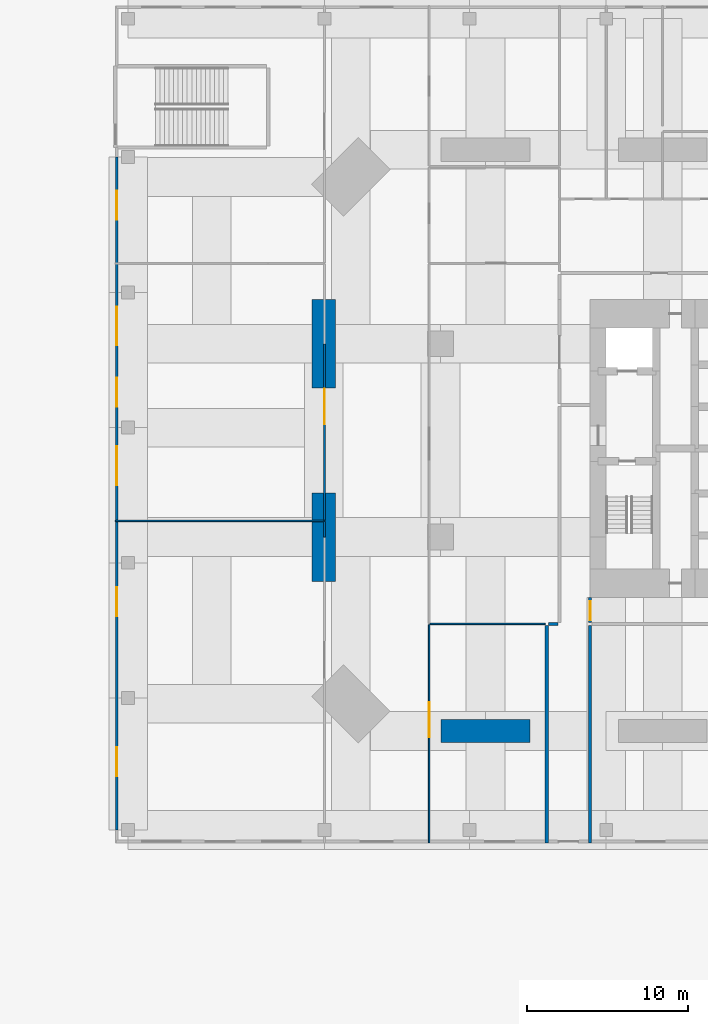
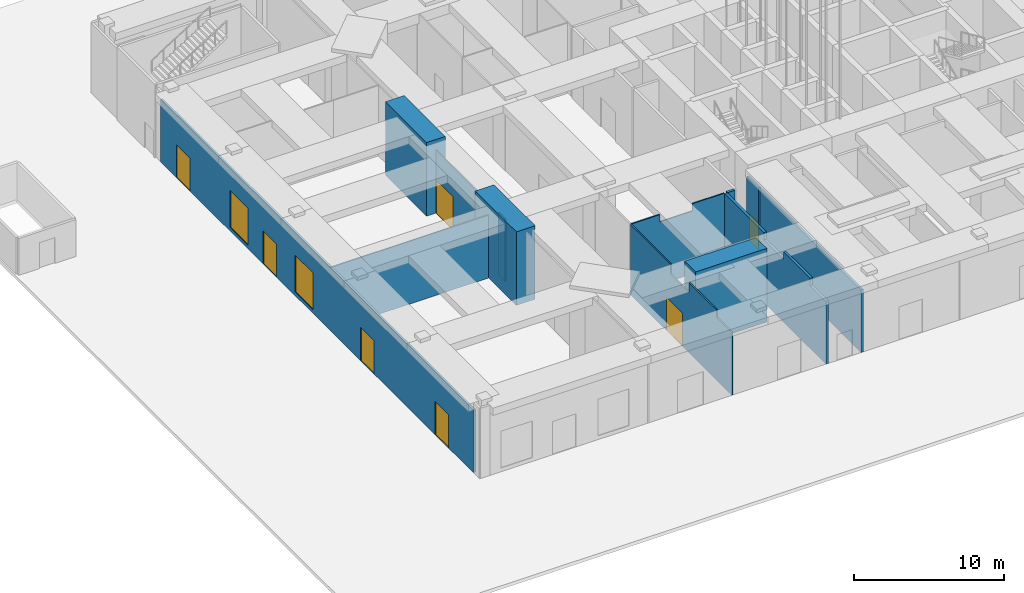
# One storey, part 3 of 17: 13 walls, 7 doors, 2 windows, 9 openings.
"""IFC4 building model written with IfcOpenShell, lengths in metres."""

from ifc_helpers import new_model, si_unit, direction, frame, frame_2d, origin, place, context, subcontext, project, spatial, polyline, rectangle, outline, extrude, material, layer, layer_set, constituent, constituent_set, type_object, element, fill, save


model = new_model("IFC4")

# Units and contexts
model_context = context("Model", 3, precision=1e-05, world=origin(), true_north=direction((0.0, 1.0)))
body_context = subcontext(model_context, "Body", "Model", "MODEL_VIEW")
ifc_project = project(units=[si_unit("LENGTHUNIT", "METRE"), si_unit("AREAUNIT", "SQUARE_METRE"), si_unit("VOLUMEUNIT", "CUBIC_METRE"), si_unit("PLANEANGLEUNIT", "RADIAN"), si_unit("MASSUNIT", "GRAM", prefix="KILO")], contexts=[model_context])

# Site, building, storey
site_placement = place(None, origin())
site = spatial("IfcSite", under=ifc_project, at=site_placement, CompositionType="ELEMENT")
building_placement = place(site_placement, origin())
building = spatial("IfcBuilding", under=site, at=building_placement, Name="Jalousie Tower", CompositionType="ELEMENT")
storey_placement = place(building_placement, origin())
storey = spatial("IfcBuildingStorey", under=building, at=storey_placement, Name="L00", CompositionType="ELEMENT", Elevation=0.0)

# Wall, openings, doors, windows
ifc_material_1 = material(Name="Concrete f'c 40 MPa", Category="concrete")
ifc_constituent_1 = constituent(ifc_material_1, Name="Body")
ifc_material_2 = material(Name="Render, pastel coral")
ifc_constituent_2 = constituent(ifc_material_2, Name="Finish")
ifc_constituent_set_1 = constituent_set(constituents=[ifc_constituent_1, ifc_constituent_2])
wall_type_1 = type_object("IfcWallType", Name="EXTERNAL WALL 175 CORAL RENDER", PredefinedType="SOLIDWALL", material=ifc_constituent_set_1)
wall_1_placement = place(storey_placement, frame((-9.91259765625, 36.60009765625, 0.0), z_axis=(0.0, 0.0, 1.0), x_axis=(0.0, -1.0, 0.0)))
wall_1 = element("IfcWall", 1, at=wall_1_placement, inside=storey, type_object=wall_type_1, Name="External Wall 175 Coral Render L00-B", PredefinedType="SOLIDWALL", context=body_context, shape_type="SweptSolid", body=[
    extrude(rectangle(XDim=41.800048828125, YDim=0.175048828125, at=frame_2d((20.89990234375, 0.0))), origin(), (0.0, 0.0, 1.0), 5.1201171875),
])
opening_1_placement = place(wall_1_placement, frame((2.10009765625, 0.0, 0.0)))
opening_1 = element("IfcOpeningElement", 2, at=opening_1_placement, cuts=wall_1, Name="Opening D-SHP", PredefinedType="OPENING", context=body_context, shape_type="SweptSolid", body=[
    extrude(rectangle(XDim=1.800048828125, YDim=2.699951171875, at=frame_2d((0.89990234375, 1.35009765625))), frame((0.0, 0.097412109375, 0.0), z_axis=(0.0, -1.0, 0.0), x_axis=(1.0, 0.0, 0.0)), (0.0, 0.0, 1.0), 0.195068359375),
])
opening_2_placement = place(wall_1_placement, frame((13.699951171875, 0.0, 0.0)))
opening_2 = element("IfcOpeningElement", 3, at=opening_2_placement, cuts=wall_1, Name="Opening D-SHP", PredefinedType="OPENING", context=body_context, shape_type="SweptSolid", body=[
    extrude(rectangle(XDim=1.800048828125, YDim=2.699951171875, at=frame_2d((0.89990234375, 1.35009765625))), frame((0.0, 0.097412109375, 0.0), z_axis=(0.0, -1.0, 0.0), x_axis=(1.0, 0.0, 0.0)), (0.0, 0.0, 1.0), 0.195068359375),
])
opening_3_placement = place(wall_1_placement, frame((9.293701171875, 0.0, 0.300048828125)))
opening_3 = element("IfcOpeningElement", 4, at=opening_3_placement, cuts=wall_1, Name="Opening W-SHOP", PredefinedType="OPENING", context=body_context, shape_type="SweptSolid", body=[
    extrude(rectangle(XDim=2.39990234375, YDim=3.0, at=frame_2d((1.199951171875, 1.5))), frame((0.0, 0.097412109375, 0.0), z_axis=(0.0, -1.0, 0.0), x_axis=(1.0, 0.0, 0.0)), (0.0, 0.0, 1.0), 0.195068359375),
])
opening_4_placement = place(wall_1_placement, frame((17.97509765625, 0.0, 0.300048828125)))
opening_4 = element("IfcOpeningElement", 5, at=opening_4_placement, cuts=wall_1, Name="Opening W-SHOP", PredefinedType="OPENING", context=body_context, shape_type="SweptSolid", body=[
    extrude(rectangle(XDim=2.39990234375, YDim=3.0, at=frame_2d((1.199951171875, 1.5))), frame((0.0, 0.097412109375, 0.0), z_axis=(0.0, -1.0, 0.0), x_axis=(1.0, 0.0, 0.0)), (0.0, 0.0, 1.0), 0.195068359375),
])
opening_5_placement = place(wall_1_placement, frame((26.715576171875, 0.0, 0.0)))
opening_5 = element("IfcOpeningElement", 6, at=opening_5_placement, cuts=wall_1, Name="Opening D-SHP", PredefinedType="OPENING", context=body_context, shape_type="SweptSolid", body=[
    extrude(rectangle(XDim=1.800048828125, YDim=2.699951171875, at=frame_2d((0.89990234375, 1.35009765625))), frame((0.0, 0.097412109375, 0.0), z_axis=(0.0, -1.0, 0.0), x_axis=(1.0, 0.0, 0.0)), (0.0, 0.0, 1.0), 0.195068359375),
])
opening_6_placement = place(wall_1_placement, frame((36.64697265625, 0.0, 0.0)))
opening_6 = element("IfcOpeningElement", 7, at=opening_6_placement, cuts=wall_1, Name="Opening D-SHP", PredefinedType="OPENING", context=body_context, shape_type="SweptSolid", body=[
    extrude(rectangle(XDim=1.800048828125, YDim=2.699951171875, at=frame_2d((0.89990234375, 1.35009765625))), frame((0.0, 0.097412109375, 0.0), z_axis=(0.0, -1.0, 0.0), x_axis=(1.0, 0.0, 0.0)), (0.0, 0.0, 1.0), 0.195068359375),
])
ifc_material_3 = material(Name="Aluminium frame, impact-rated glazing", Category="aluminium")
door_type_1 = type_object("IfcDoorType", Name="SHOP DOOR 1800x2700", OperationType="DOUBLE_DOOR_SINGLE_SWING", PredefinedType="DOOR", material=ifc_material_3)
door_1_placement = place(opening_1_placement, frame((1.800048828125, 0.0, 0.0), z_axis=(0.0, 0.0, 1.0), x_axis=(-1.0, 0.0, 0.0)))
door_1 = element("IfcDoor", 8, at=door_1_placement, inside=storey, type_object=door_type_1, Name="Retail unit 3 street door", OperationType="DOUBLE_DOOR_SINGLE_SWING", OverallHeight=2.699951171875, OverallWidth=1.800048828125, PredefinedType="DOOR", context=body_context, shape_type="SweptSolid", body=[
    extrude(rectangle(XDim=1.800048828125, YDim=2.699951171875, at=frame_2d((0.89990234375, 1.35009765625))), frame((0.0, 0.02490234375, 0.0), z_axis=(0.0, -1.0, 0.0), x_axis=(1.0, 0.0, 0.0)), (0.0, 0.0, 1.0), 0.050048828125),
])
fill(opening_1, door_1)
door_2_placement = place(opening_2_placement, frame((1.800048828125, 0.0, 0.0), z_axis=(0.0, 0.0, 1.0), x_axis=(-1.0, 0.0, 0.0)))
door_2 = element("IfcDoor", 9, at=door_2_placement, inside=storey, type_object=door_type_1, Name="Retail unit 2 street door", OperationType="DOUBLE_DOOR_SINGLE_SWING", OverallHeight=2.699951171875, OverallWidth=1.800048828125, PredefinedType="DOOR", context=body_context, shape_type="SweptSolid", body=[
    extrude(rectangle(XDim=1.800048828125, YDim=2.699951171875, at=frame_2d((0.89990234375, 1.35009765625))), frame((0.0, 0.02490234375, 0.0), z_axis=(0.0, -1.0, 0.0), x_axis=(1.0, 0.0, 0.0)), (0.0, 0.0, 1.0), 0.050048828125),
])
fill(opening_2, door_2)
door_3_placement = place(opening_5_placement, frame((1.800048828125, 0.0, 0.0), z_axis=(0.0, 0.0, 1.0), x_axis=(-1.0, 0.0, 0.0)))
door_3 = element("IfcDoor", 10, at=door_3_placement, inside=storey, type_object=door_type_1, Name="Retail unit 1 street door", OperationType="DOUBLE_DOOR_SINGLE_SWING", OverallHeight=2.699951171875, OverallWidth=1.800048828125, PredefinedType="DOOR", context=body_context, shape_type="SweptSolid", body=[
    extrude(rectangle(XDim=1.800048828125, YDim=2.699951171875, at=frame_2d((0.89990234375, 1.35009765625))), frame((0.0, 0.02490234375, 0.0), z_axis=(0.0, -1.0, 0.0), x_axis=(1.0, 0.0, 0.0)), (0.0, 0.0, 1.0), 0.050048828125),
])
fill(opening_5, door_3)
door_4_placement = place(opening_6_placement, frame((1.800048828125, 0.0, 0.0), z_axis=(0.0, 0.0, 1.0), x_axis=(-1.0, 0.0, 0.0)))
door_4 = element("IfcDoor", 11, at=door_4_placement, inside=storey, type_object=door_type_1, Name="Retail unit 1 street door", OperationType="DOUBLE_DOOR_SINGLE_SWING", OverallHeight=2.699951171875, OverallWidth=1.800048828125, PredefinedType="DOOR", context=body_context, shape_type="SweptSolid", body=[
    extrude(rectangle(XDim=1.800048828125, YDim=2.699951171875, at=frame_2d((0.89990234375, 1.35009765625))), frame((0.0, 0.02490234375, 0.0), z_axis=(0.0, -1.0, 0.0), x_axis=(1.0, 0.0, 0.0)), (0.0, 0.0, 1.0), 0.050048828125),
])
fill(opening_6, door_4)
ifc_material_4 = material(Name="Aluminium frame, impact-rated glazing", Category="aluminium")
window_type = type_object("IfcWindowType", Name="WINDOW SHOP 2400x3000", PartitioningType="DOUBLE_PANEL_VERTICAL", PredefinedType="WINDOW", material=ifc_material_4)
window_1_placement = place(opening_3_placement, origin())
window_1 = element("IfcWindow", 12, at=window_1_placement, inside=storey, type_object=window_type, Name="Retail unit 2 shopfront window", OverallHeight=3.0, OverallWidth=2.39990234375, PartitioningType="SINGLE_PANEL", PredefinedType="WINDOW", context=body_context, shape_type="SweptSolid", body=[
    extrude(rectangle(XDim=2.39990234375, YDim=3.0, at=frame_2d((1.199951171875, 1.5))), frame((0.0, 0.030029296875, 0.0), z_axis=(0.0, -1.0, 0.0), x_axis=(1.0, 0.0, 0.0)), (0.0, 0.0, 1.0), 0.06005859375),
])
fill(opening_3, window_1)
window_2_placement = place(opening_4_placement, origin())
window_2 = element("IfcWindow", 13, at=window_2_placement, inside=storey, type_object=window_type, Name="Retail unit 2 shopfront window", OverallHeight=3.0, OverallWidth=2.39990234375, PartitioningType="SINGLE_PANEL", PredefinedType="WINDOW", context=body_context, shape_type="SweptSolid", body=[
    extrude(rectangle(XDim=2.39990234375, YDim=3.0, at=frame_2d((1.199951171875, 1.5))), frame((0.0, 0.030029296875, 0.0), z_axis=(0.0, -1.0, 0.0), x_axis=(1.0, 0.0, 0.0)), (0.0, 0.0, 1.0), 0.06005859375),
])
fill(opening_4, window_2)

# Wall
ifc_material_5 = material(Name="Gypsum board", Category="gypsum")
ifc_constituent_3 = constituent(ifc_material_5, Name="Body")
ifc_material_6 = material(Name="Light-gauge steel studs ASTM A653 SS Grade 33", Category="steel")
ifc_constituent_4 = constituent(ifc_material_6, Name="Framing")
ifc_constituent_set_2 = constituent_set(constituents=[ifc_constituent_3, ifc_constituent_4])
wall_type_2 = type_object("IfcWallType", Name="PARTITION 100", PredefinedType="PARTITIONING", material=ifc_constituent_set_2)
wall_2_placement = place(storey_placement, frame((3.0, 13.0, 0.0), z_axis=(0.0, 0.0, 1.0), x_axis=(0.0, 1.0, 0.0)))
element("IfcWall", 14, at=wall_2_placement, inside=storey, type_object=wall_type_2, Name="Partition 100 L00-B", PredefinedType="PARTITIONING", context=body_context, shape_type="SweptSolid", body=[
    extrude(rectangle(XDim=0.949951171875, YDim=0.10009765625, at=frame_2d((0.47509765625, 0.0))), origin(), (0.0, 0.0, 1.0), 5.1201171875),
])

# Wall, opening, door
wall_3_placement = place(storey_placement, frame((3.0, 14.050048828125, 0.0), z_axis=(0.0, 0.0, 1.0), x_axis=(0.0, 1.0, 0.0)))
wall_3 = element("IfcWall", 15, at=wall_3_placement, inside=storey, type_object=wall_type_2, Name="Partition 100 L00-A", PredefinedType="PARTITIONING", context=body_context, shape_type="SweptSolid", body=[
    extrude(rectangle(XDim=10.949951171875, YDim=0.10009765625, at=frame_2d((5.47509765625, 0.0))), origin(), (0.0, 0.0, 1.0), 5.1201171875),
])
opening_7_placement = place(wall_3_placement, frame((5.949951171875, 0.0, 0.0)))
opening_7 = element("IfcOpeningElement", 16, at=opening_7_placement, cuts=wall_3, Name="Opening D14", PredefinedType="OPENING", context=body_context, shape_type="SweptSolid", body=[
    extrude(rectangle(XDim=2.199951171875, YDim=2.699951171875, at=frame_2d((1.10009765625, 1.35009765625))), frame((0.0, 0.06005859375, 0.0), z_axis=(0.0, -1.0, 0.0), x_axis=(1.0, 0.0, 0.0)), (0.0, 0.0, 1.0), 0.1201171875),
])
ifc_material_7 = material(Name="Glazed aluminium door", Category="aluminium")
door_type_2 = type_object("IfcDoorType", Name="SHOPFRONT DOOR 2200", OperationType="DOUBLE_DOOR_SINGLE_SWING", PredefinedType="DOOR", material=ifc_material_7)
door_5_placement = place(opening_7_placement, origin())
door_5 = element("IfcDoor", 17, at=door_5_placement, inside=storey, type_object=door_type_2, Name="Retail unit 2 door", OperationType="DOUBLE_DOOR_SINGLE_SWING", OverallHeight=2.699951171875, OverallWidth=2.199951171875, PredefinedType="DOOR", context=body_context, shape_type="SweptSolid", body=[
    extrude(rectangle(XDim=2.199951171875, YDim=2.699951171875, at=frame_2d((1.10009765625, 1.35009765625))), frame((0.0, 0.02490234375, 0.0), z_axis=(0.0, -1.0, 0.0), x_axis=(1.0, 0.0, 0.0)), (0.0, 0.0, 1.0), 0.050048828125),
])
fill(opening_7, door_5)

wall_4_placement = place(storey_placement, frame((9.5, -6.0, 0.0), z_axis=(0.0, 0.0, 1.0), x_axis=(0.0, 1.0, 0.0)))
wall_4 = element("IfcWall", 18, at=wall_4_placement, inside=storey, type_object=wall_type_2, Name="Partition 100 L00", PredefinedType="PARTITIONING", context=body_context, shape_type="SweptSolid", body=[
    extrude(outline(polyline([(0.0, 0.0), (13.550048828125, 0.0), (13.550048828125, 5.719970703125), (8.2099609375, 5.719970703125), (8.2099609375, 4.919921875), (5.68994140625, 4.919921875), (5.68994140625, 5.719970703125), (2.06005859375, 5.719970703125), (2.06005859375, 5.1201171875), (0.0, 5.1201171875), (0.0, 5.719970703125), (0.0, 0.0)])), frame((0.0, 0.050048828125, 0.0), z_axis=(0.0, -1.0, 0.0), x_axis=(1.0, 0.0, 0.0)), (0.0, 0.0, 1.0), 0.10009765625),
])
opening_8_placement = place(wall_4_placement, frame((6.550048828125, 0.0, 0.0)))
opening_8 = element("IfcOpeningElement", 19, at=opening_8_placement, cuts=wall_4, Name="Opening D14", PredefinedType="OPENING", context=body_context, shape_type="SweptSolid", body=[
    extrude(rectangle(XDim=2.199951171875, YDim=2.699951171875, at=frame_2d((1.10009765625, 1.35009765625))), frame((0.0, 0.06005859375, 0.0), z_axis=(0.0, -1.0, 0.0), x_axis=(1.0, 0.0, 0.0)), (0.0, 0.0, 1.0), 0.1201171875),
])
door_6_placement = place(opening_8_placement, frame((2.199951171875, 0.0, 0.0), z_axis=(0.0, 0.0, 1.0), x_axis=(-1.0, 0.0, 0.0)))
door_6 = element("IfcDoor", 20, at=door_6_placement, inside=storey, type_object=door_type_2, Name="Retail unit 4 door", OperationType="DOUBLE_DOOR_SINGLE_SWING", OverallHeight=2.699951171875, OverallWidth=2.199951171875, PredefinedType="DOOR", context=body_context, shape_type="SweptSolid", body=[
    extrude(rectangle(XDim=2.199951171875, YDim=2.699951171875, at=frame_2d((1.10009765625, 1.35009765625))), frame((0.0, 0.02490234375, 0.0), z_axis=(0.0, -1.0, 0.0), x_axis=(1.0, 0.0, 0.0)), (0.0, 0.0, 1.0), 0.050048828125),
])
fill(opening_8, door_6)

# Walls
wall_5_placement = place(storey_placement, frame((-10.0, 14.0, 0.0), z_axis=(0.0, 0.0, 1.0), x_axis=(1.0, 0.0, 0.0)))
element("IfcWall", 21, at=wall_5_placement, inside=storey, type_object=wall_type_2, Name="Partition 100 L00", PredefinedType="PARTITIONING", context=body_context, shape_type="SweptSolid", body=[
    extrude(outline(polyline([(0.0, 0.0), (12.949951171875, 0.0), (12.949951171875, 5.719970703125), (12.949951171875, 5.1201171875), (2.06005859375, 5.1201171875), (0.0, 5.1201171875), (0.0, 5.719970703125), (0.0, 0.0)])), frame((0.0, 0.050048828125, 0.0), z_axis=(0.0, -1.0, 0.0), x_axis=(1.0, 0.0, 0.0)), (0.0, 0.0, 1.0), 0.10009765625),
])
wall_6_placement = place(storey_placement, frame((9.550048828125, 7.60009765625, 0.0), z_axis=(0.0, 0.0, 1.0), x_axis=(1.0, 0.0, 0.0)))
element("IfcWall", 22, at=wall_6_placement, inside=storey, type_object=wall_type_2, Name="Partition 100 L00", PredefinedType="PARTITIONING", context=body_context, shape_type="SweptSolid", body=[
    extrude(outline(polyline([(0.0, 0.0), (7.14990234375, 0.0), (7.14990234375, 5.719970703125), (4.7099609375, 5.719970703125), (4.7099609375, 5.1201171875), (2.18994140625, 5.1201171875), (2.18994140625, 5.719970703125), (0.0, 5.719970703125), (0.0, 0.0)])), frame((0.0, 0.050048828125, 0.0), z_axis=(0.0, -1.0, 0.0), x_axis=(1.0, 0.0, 0.0)), (0.0, 0.0, 1.0), 0.10009765625),
])
ifc_material_8 = material(Name="Concrete f'c 120 MPa", Category="concrete")
ifc_layer = layer(ifc_material_8, 1.449951171875)
ifc_layer_set = layer_set([ifc_layer], Name="Concrete f'c 120 MPa")
wall_type_3 = type_object("IfcWallType", Name="RC WALL PIER 1450", PredefinedType="SHEAR", material=ifc_layer_set)
for number, where, z_axis, x_axis, name in (
    (23, (10.25, 0.949951171875, 0.0), (0.0, 0.0, 1.0), (1.0, 0.0, 0.0), "Wall pier 02 L00"),
    (24, (2.949951171875, 22.25, 0.0), (0.0, 0.0, 1.0), (0.0, 1.0, 0.0), "Wall pier 13 L00"),
    (25, (2.949951171875, 10.25, 0.0), (0.0, 0.0, 1.0), (0.0, 1.0, 0.0), "Wall pier 14 L00"),
):
    element("IfcWall", number, at=place(storey_placement, frame(where, z_axis=z_axis, x_axis=x_axis)), inside=storey, type_object=wall_type_3, Name=name, PredefinedType="SHEAR", context=body_context, shape_type="SweptSolid", body=[
        extrude(rectangle(XDim=5.5, YDim=1.449951171875, at=frame_2d((2.75, 0.0))), origin(), (0.0, 0.0, 1.0), 6.0),
    ])
ifc_material_9 = material(Name="Concrete block ASTM C90", Category="concrete")
ifc_constituent_5 = constituent(ifc_material_9, Name="Body")
ifc_material_10 = material(Name="Render")
ifc_constituent_6 = constituent(ifc_material_10, Name="Finish")
ifc_constituent_set_3 = constituent_set(constituents=[ifc_constituent_5, ifc_constituent_6])
wall_type_4 = type_object("IfcWallType", Name="STAIR WALL 200", PredefinedType="SOLIDWALL", material=ifc_constituent_set_3)
wall_7_placement = place(storey_placement, frame((16.89990234375, 7.60009765625, 0.0), z_axis=(0.0, 0.0, 1.0), x_axis=(1.0, 0.0, 0.0)))
element("IfcWall", 26, at=wall_7_placement, inside=storey, type_object=wall_type_4, Name="Stair Wall 200 L00", PredefinedType="SOLIDWALL", context=body_context, shape_type="SweptSolid", body=[
    extrude(rectangle(XDim=0.60009765625, YDim=0.199951171875, at=frame_2d((0.300048828125, 0.0))), origin(), (0.0, 0.0, 1.0), 5.719970703125),
])
wall_8_placement = place(storey_placement, frame((16.800048828125, -6.0, 0.0), z_axis=(0.0, 0.0, 1.0), x_axis=(0.0, 1.0, 0.0)))
element("IfcWall", 27, at=wall_8_placement, inside=storey, type_object=wall_type_4, Name="Stair Wall 200 L00", PredefinedType="SOLIDWALL", context=body_context, shape_type="SweptSolid", body=[
    extrude(outline(polyline([(0.0, 0.0), (13.5, 0.0), (13.5, 5.719970703125), (8.260009765625, 5.719970703125), (8.260009765625, 5.1201171875), (5.639892578125, 5.1201171875), (5.639892578125, 5.719970703125), (2.110107421875, 5.719970703125), (2.110107421875, 5.1201171875), (0.0, 5.1201171875), (0.0, 5.719970703125), (0.0, 0.0)])), frame((0.0, 0.10009765625, 0.0), z_axis=(0.0, -1.0, 0.0), x_axis=(1.0, 0.0, 0.0)), (0.0, 0.0, 1.0), 0.199951171875),
])
wall_9_placement = place(storey_placement, frame((19.5, -6.0, 0.0), z_axis=(0.0, 0.0, 1.0), x_axis=(0.0, 1.0, 0.0)))
element("IfcWall", 28, at=wall_9_placement, inside=storey, type_object=wall_type_4, Name="Stair Wall 200 L00", PredefinedType="SOLIDWALL", context=body_context, shape_type="SweptSolid", body=[
    extrude(outline(polyline([(0.0, 0.0), (13.5, 0.0), (13.5, 5.719970703125), (13.5, 5.1201171875), (2.110107421875, 5.1201171875), (0.0, 5.1201171875), (0.0, 5.719970703125), (0.0, 0.0)])), frame((0.0, 0.10009765625, 0.0), z_axis=(0.0, -1.0, 0.0), x_axis=(1.0, 0.0, 0.0)), (0.0, 0.0, 1.0), 0.199951171875),
])

# Wall, opening, door
wall_10_placement = place(storey_placement, frame((19.5, 7.699951171875, 0.0), z_axis=(0.0, 0.0, 1.0), x_axis=(0.0, 1.0, 0.0)))
wall_10 = element("IfcWall", 29, at=wall_10_placement, inside=storey, type_object=wall_type_4, Name="Stair Wall 200 L00", PredefinedType="SOLIDWALL", context=body_context, shape_type="SweptSolid", body=[
    extrude(outline(polyline([(0.0, 0.0), (1.550048828125, 0.0), (1.550048828125, 5.719970703125), (1.550048828125, 5.1201171875), (0.0, 5.1201171875), (0.0, 5.719970703125), (0.0, 0.0)])), frame((0.0, 0.10009765625, 0.0), z_axis=(0.0, -1.0, 0.0), x_axis=(1.0, 0.0, 0.0)), (0.0, 0.0, 1.0), 0.199951171875),
])
opening_9_placement = place(wall_10_placement, frame((0.125, 0.0, 0.0)))
opening_9 = element("IfcOpeningElement", 30, at=opening_9_placement, cuts=wall_10, Name="Opening D11", PredefinedType="OPENING", context=body_context, shape_type="SweptSolid", body=[
    extrude(rectangle(XDim=1.199951171875, YDim=2.199951171875, at=frame_2d((0.60009765625, 1.10009765625))), frame((0.0, 0.10986328125, 0.0), z_axis=(0.0, -1.0, 0.0), x_axis=(1.0, 0.0, 0.0)), (0.0, 0.0, 1.0), 0.219970703125),
])
ifc_material_11 = material(Name="Steel fire door", Category="steel")
door_type_3 = type_object("IfcDoorType", Name="FIRE DOOR 1200", OperationType="SINGLE_SWING_LEFT", PredefinedType="DOOR", material=ifc_material_11)
door_7_placement = place(opening_9_placement, origin())
door_7 = element("IfcDoor", 31, at=door_7_placement, inside=storey, type_object=door_type_3, Name="South lift hall exit door", OperationType="SINGLE_SWING_LEFT", OverallHeight=2.199951171875, OverallWidth=1.199951171875, PredefinedType="DOOR", context=body_context, shape_type="SweptSolid", body=[
    extrude(rectangle(XDim=1.199951171875, YDim=2.199951171875, at=frame_2d((0.60009765625, 1.10009765625))), frame((0.0, 0.02490234375, 0.0), z_axis=(0.0, -1.0, 0.0), x_axis=(1.0, 0.0, 0.0)), (0.0, 0.0, 1.0), 0.050048828125),
])
fill(opening_9, door_7)

save(model, "model.ifc")
